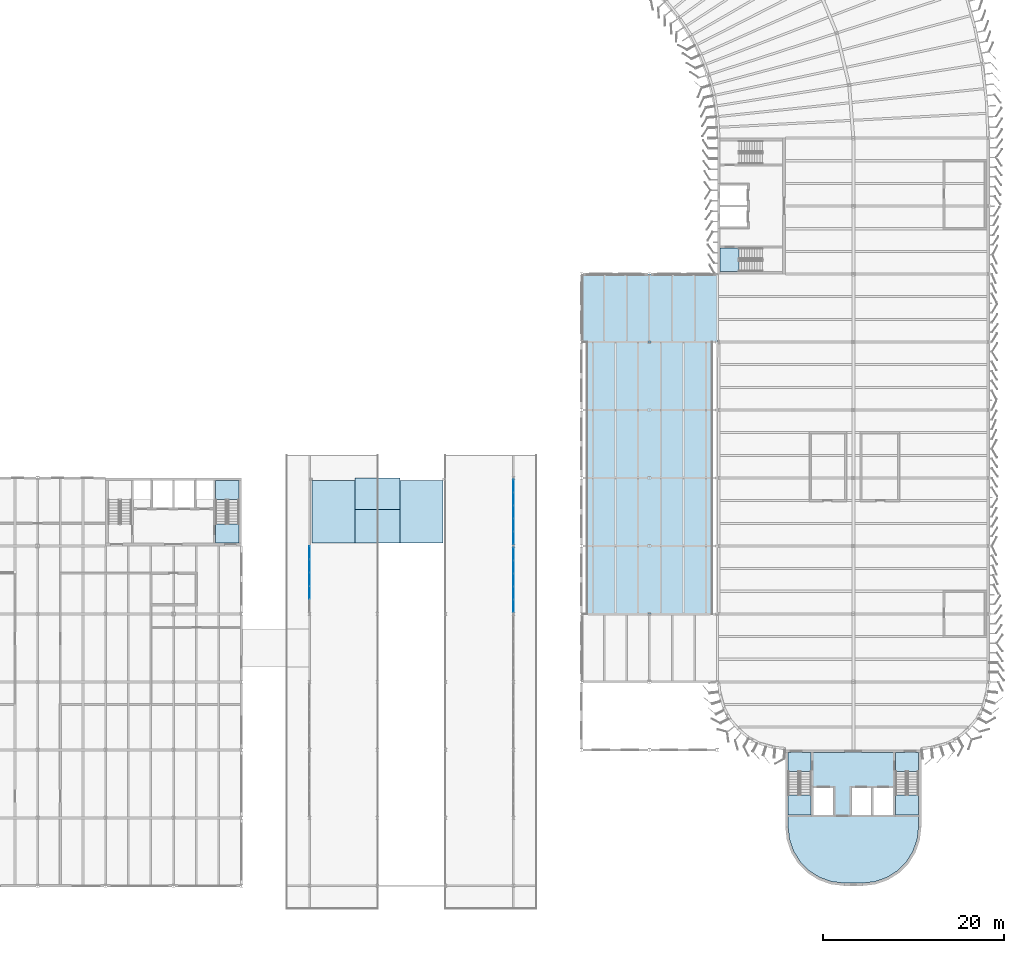
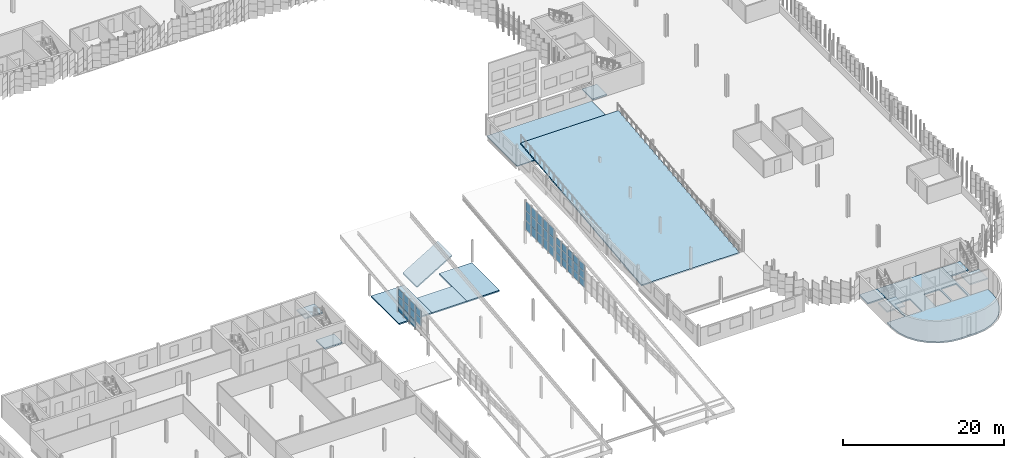
# One storey, part 48 of 199: 41 plates, 14 slabs, 17 elements without a shape of their own.
"""IFC4 building model written with IfcOpenShell, lengths in metres."""

import ifcopenshell
import ifcopenshell.guid

model = None  # the IFC model being written
_history = None  # IfcOwnerHistory: only IFC2X3 demands one
_inside = {}  # id of a spatial element -> (the spatial element, [elements in it])
_under = {}  # id of a project, library or spatial element -> (it, [spatial elements below it])
_declared = {}  # id of a project -> (the project, [libraries it declares])
_typed = {}  # id of a type object -> (the type object, [elements of that type])
_made_of = {}  # id of a material, layer set ... -> (it, [elements and type objects made of it])


def new_model(schema):
    """Start an empty IFC model of exactly this schema.

    Asked for "IFC4X3", IfcOpenShell would pick the latest addendum, in which some entities
    have other attributes; the version numbers below select the first issue.
    IFC2X3 requires an IfcOwnerHistory on every rooted entity: one is made here for all.
    """
    global model, _history
    if schema == "IFC4X3":
        model = ifcopenshell.file(schema_version=(4, 3, 0, 0))
    else:
        model = ifcopenshell.file(schema=schema)
    _inside.clear()
    _under.clear()
    _declared.clear()
    _typed.clear()
    _made_of.clear()
    _history = None
    if model.schema == "IFC2X3":
        org = make("IfcOrganization", Name="unknown")
        user = make(
            "IfcPersonAndOrganization",
            ThePerson=make("IfcPerson", FamilyName="unknown"),
            TheOrganization=org,
        )
        app = make(
            "IfcApplication",
            ApplicationDeveloper=org,
            Version="unknown",
            ApplicationFullName="unknown",
            ApplicationIdentifier="unknown",
        )
        _history = make(
            "IfcOwnerHistory",
            OwningUser=user,
            OwningApplication=app,
            ChangeAction="ADDED",
            CreationDate=0,
        )
    return model


def make(cls, **values):
    """One entity of the class cls with the attributes given. An attribute that is None is left unset."""
    return model.create_entity(
        cls, **{name: value for name, value in values.items() if value is not None}
    )


def rooted(cls, **values):
    """An entity with a GlobalId (a new one), such as an element, a storey or a relation."""
    return make(cls, GlobalId=ifcopenshell.guid.new(), OwnerHistory=_history, **values)


def si_unit(unit_type, name, prefix=None):
    """IfcSIUnit, for example si_unit("LENGTHUNIT", "METRE", prefix="MILLI")."""
    return make("IfcSIUnit", UnitType=unit_type, Prefix=prefix, Name=name)


def assignment(units):
    """IfcUnitAssignment: the units of a project."""
    return None if units is None else make("IfcUnitAssignment", Units=units)


def point(xyz):
    """IfcCartesianPoint."""
    return None if xyz is None else make("IfcCartesianPoint", Coordinates=xyz)


def direction(xyz):
    """IfcDirection."""
    return None if xyz is None else make("IfcDirection", DirectionRatios=xyz)


def frame(location, z_axis=None, x_axis=None):
    """IfcAxis2Placement3D, a coordinate frame: its origin and axes. An axis left out is left unset."""
    return make(
        "IfcAxis2Placement3D",
        Location=point(location),
        Axis=direction(z_axis),
        RefDirection=direction(x_axis),
    )


def frame_2d(location, x_axis=None):
    """IfcAxis2Placement2D, a coordinate frame in the plane: its origin and x axis."""
    return make(
        "IfcAxis2Placement2D", Location=point(location), RefDirection=direction(x_axis)
    )


def origin():
    """The frame at (0, 0, 0) with its axes left unset."""
    return frame((0.0, 0.0, 0.0))


def origin_2d():
    """The frame at (0, 0) in the plane with its x axis left unset."""
    return frame_2d((0.0, 0.0))


def place(relative_to, where):
    """IfcLocalPlacement: puts the frame where relative to a parent placement (None: the world)."""
    return make(
        "IfcLocalPlacement", PlacementRelTo=relative_to, RelativePlacement=where
    )


def context(
    kind, dimensions, precision=None, world=None, true_north=None, identifier=None
):
    """IfcGeometricRepresentationContext, for example the 3D "Model" context."""
    return make(
        "IfcGeometricRepresentationContext",
        ContextIdentifier=identifier,
        ContextType=kind,
        CoordinateSpaceDimension=dimensions,
        Precision=precision,
        WorldCoordinateSystem=world,
        TrueNorth=true_north,
    )


def subcontext(parent, identifier, kind, view, scale=None):
    """IfcGeometricRepresentationSubContext, for example "Body" below "Model"."""
    return make(
        "IfcGeometricRepresentationSubContext",
        ContextIdentifier=identifier,
        ContextType=kind,
        ParentContext=parent,
        TargetScale=scale,
        TargetView=view,
    )


def project(units=None, contexts=None):
    """IfcProject with its units and contexts."""
    return rooted(
        "IfcProject",
        Name="project",
        RepresentationContexts=contexts,
        UnitsInContext=assignment(units),
    )


def spatial(cls, under=None, at=None, **own):
    """A site, building, storey or space (cls), placed at a placement, below another one or the project."""
    s = rooted(cls, ObjectPlacement=at, **own)
    if under is not None:
        _under.setdefault(under.id(), (under, []))[1].append(s)
    return s


def polyline(points):
    """IfcPolyline through the points."""
    return make("IfcPolyline", Points=[point(p) for p in points])


def profile(cls, at=None, kind="AREA", **sizes):
    """A parametric profile (cls). Its sizes go by their IFC names, for example OverallWidth=200.0."""
    return make(cls, ProfileType=kind, Position=at, **sizes)


def rectangle(**sizes):
    """IfcRectangleProfileDef."""
    return profile("IfcRectangleProfileDef", **sizes)


def outline(outer, holes=None, kind="AREA"):
    """IfcArbitraryClosedProfileDef: a profile drawn as a closed curve; with holes, ...WithVoids."""
    if holes is None:
        return make("IfcArbitraryClosedProfileDef", ProfileType=kind, OuterCurve=outer)
    return make(
        "IfcArbitraryProfileDefWithVoids",
        ProfileType=kind,
        OuterCurve=outer,
        InnerCurves=holes,
    )


def extrude(swept, where, along, depth):
    """IfcExtrudedAreaSolid: the profile swept, set in the frame where, extruded along a direction by depth."""
    return make(
        "IfcExtrudedAreaSolid",
        SweptArea=swept,
        Position=where,
        ExtrudedDirection=direction(along),
        Depth=depth,
    )


def shape(context_of_items, identifier, shape_type, items):
    """IfcShapeRepresentation: the items that make up one representation, for example the "Body"."""
    return make(
        "IfcShapeRepresentation",
        ContextOfItems=context_of_items,
        RepresentationIdentifier=identifier,
        RepresentationType=shape_type,
        Items=items,
    )


def material(Name=None, Category=None):
    """IfcMaterial."""
    return make("IfcMaterial", Name=Name, Category=Category)


def layer(
    of_material, thickness, ventilated=None, Name=None, Category=None, Priority=None
):
    """IfcMaterialLayer: one layer of a wall or slab, of a material (None: an air gap)."""
    return make(
        "IfcMaterialLayer",
        Material=of_material,
        LayerThickness=thickness,
        IsVentilated=ventilated,
        Name=Name,
        Category=Category,
        Priority=Priority,
    )


def layer_set(layers, Name=None):
    """IfcMaterialLayerSet."""
    return make("IfcMaterialLayerSet", MaterialLayers=layers, LayerSetName=Name)


def made_of(thing, what):
    """Note that an element or type object is made of a material, layer set ...; save() writes the relation."""
    if what is not None:
        _made_of.setdefault(what.id(), (what, []))[1].append(thing)
    return thing


def type_object(cls, material=None, **own):
    """A type object (cls), such as IfcWallType, which elements share."""
    return made_of(rooted(cls, **own), material)


def element(
    cls,
    number,
    at=None,
    inside=None,
    cuts=None,
    type_object=None,
    material=None,
    context=None,
    identifier="Body",
    shape_type=None,
    held_by="IfcProductDefinitionShape",
    body=None,
    shapes=None,
    **own,
):
    """One element of the class cls, such as IfcWall. Its Tag is "e" and its number.

    at: its placement. inside: the storey or other place that contains it. cuts: it is an
    opening in that element (IfcRelVoidsElement). A single representation is given by context,
    identifier, shape_type and body (its items); several are given by shapes. held_by: the class
    of the entity that holds the representations. save() writes the other relations.
    """
    e = rooted(cls, Tag="e%d" % number, ObjectPlacement=at, **own)
    if body is not None:
        shapes = [shape(context, identifier, shape_type, body)]
    if shapes is not None:
        e.Representation = make(held_by, Representations=shapes)
    if inside is not None:
        _inside.setdefault(inside.id(), (inside, []))[1].append(e)
    if cuts is not None:
        rooted(
            "IfcRelVoidsElement", RelatingBuildingElement=cuts, RelatedOpeningElement=e
        )
    if type_object is not None:
        _typed.setdefault(type_object.id(), (type_object, []))[1].append(e)
    return made_of(e, material)


def aggregate(whole, parts):
    """IfcRelAggregates: a whole, such as a stair, and the parts it consists of."""
    return rooted("IfcRelAggregates", RelatingObject=whole, RelatedObjects=parts)


def save(model, path):
    """Write the relations noted so far, then the file.

    IfcRelAggregates (storeys below a building ...), IfcRelContainedInSpatialStructure (elements
    in a storey), IfcRelDefinesByType, IfcRelAssociatesMaterial and IfcRelDeclares: one each for
    every whole, place, type object, material and project.
    """
    for whole, parts in _under.values():
        aggregate(whole, parts)
    for where, things in _inside.values():
        rooted(
            "IfcRelContainedInSpatialStructure",
            RelatedElements=things,
            RelatingStructure=where,
        )
    for kind, things in _typed.values():
        rooted("IfcRelDefinesByType", RelatedObjects=things, RelatingType=kind)
    for what, things in _made_of.values():
        rooted("IfcRelAssociatesMaterial", RelatedObjects=things, RelatingMaterial=what)
    for by, libraries in _declared.values():
        rooted("IfcRelDeclares", RelatingContext=by, RelatedDefinitions=libraries)
    model.write(path)


model = new_model("IFC4")

# Units and contexts
model_context = context("Model", 3, precision=1e-05, world=origin(), true_north=direction((0.0, 1.0)))
body_context = subcontext(model_context, "Body", "Model", "MODEL_VIEW")
ifc_project = project(units=[si_unit("LENGTHUNIT", "METRE"), si_unit("AREAUNIT", "SQUARE_METRE"), si_unit("VOLUMEUNIT", "CUBIC_METRE"), si_unit("PLANEANGLEUNIT", "RADIAN"), si_unit("MASSUNIT", "GRAM", prefix="KILO")], contexts=[model_context])

# Site, building, storey
site_placement = place(None, origin())
site = spatial("IfcSite", under=ifc_project, at=site_placement, CompositionType="ELEMENT")
building_placement = place(site_placement, origin())
building = spatial("IfcBuilding", under=site, at=building_placement, Name="Parallax Yard Mobility Hub", CompositionType="ELEMENT")
storey_placement = place(building_placement, frame((0.0, 0.0, 9.89990234375)))
storey = spatial("IfcBuildingStorey", under=building, at=storey_placement, Name="L03", CompositionType="ELEMENT", Elevation=9.89990234375)

# Slabs
ifc_material_1 = material(Name="Composite slab: Concrete fc' 28 MPa on 76 mm steel deck", Category="concrete")
ifc_layer_1 = layer(ifc_material_1, 0.139892578125)
ifc_layer_set_1 = layer_set([ifc_layer_1], Name="Composite floor slab 140")
slab_type_1 = type_object("IfcSlabType", Name="Composite floor slab 140", PredefinedType="FLOOR", material=ifc_layer_set_1)
slab_1_placement = place(storey_placement, frame((0.0, 0.0, -0.139892578125)))
element("IfcSlab", 1, at=slab_1_placement, inside=storey, type_object=slab_type_1, Name="Composite floor slab level L03 of the ramp house (north landing)", PredefinedType="FLOOR", context=body_context, shape_type="SweptSolid", body=[
    extrude(outline(polyline([(195.0, 67.5), (195.0, 75.0), (180.0, 75.0), (180.0, 67.5), (195.0, 67.5)])), origin(), (0.0, 0.0, 1.0), 0.139892578125),
])
ifc_material_2 = material(Name="Concrete fc' 28 MPa", Category="concrete")
ifc_layer_2 = layer(ifc_material_2, 0.199951171875)
ifc_layer_set_2 = layer_set([ifc_layer_2], Name="Concrete fc' 28 MPa vehicle ramp slab 200")
slab_type_2 = type_object("IfcSlabType", Name="Concrete fc' 28 MPa vehicle ramp slab 200", PredefinedType="FLOOR", material=ifc_layer_set_2)
slab_2_placement = place(storey_placement, frame((187.5, 37.5, 0.0), z_axis=(0.0, 0.0, 1.0), x_axis=(0.0, 1.0, 0.0)))
element("IfcSlab", 2, at=slab_2_placement, inside=storey, type_object=slab_type_2, Name="Vehicle ramp slab RP4 L03 to L04", PredefinedType="FLOOR", context=body_context, shape_type="SweptSolid", body=[
    extrude(outline(polyline([(0.0, -0.199951171875), (30.0, 3.10009765625), (30.0, 3.300048828125), (0.0, 0.0), (0.0, -0.199951171875)])), frame((0.0, 7.0, 0.0), z_axis=(0.0, -1.0, 0.0), x_axis=(1.0, 0.0, 0.0)), (0.0, 0.0, 1.0), 14.0),
])
ifc_material_3 = material(Name="Concrete fc' 35 MPa", Category="concrete")
ifc_layer_3 = layer(ifc_material_3, 0.199951171875)
ifc_layer_set_3 = layer_set([ifc_layer_3], Name="Core floor slab 200")
slab_type_3 = type_object("IfcSlabType", Name="Core floor slab 200", PredefinedType="FLOOR", material=ifc_layer_set_3)
slab_3_placement = place(storey_placement, frame((0.0, 0.0, -0.199951171875)))
element("IfcSlab", 3, at=slab_3_placement, inside=storey, type_object=slab_type_3, Name="Core C-S floor slab level L03", PredefinedType="FLOOR", context=body_context, shape_type="SweptSolid", body=[
    extrude(outline(polyline([(216.5859375, 11.309814453125), (215.847412109375, 10.13427734375), (214.86572265625, 9.152587890625), (213.690185546875, 8.4140625), (212.379638671875, 7.95556640625), (211.0, 7.800048828125), (209.0, 7.800048828125), (207.620361328125, 7.95556640625), (206.309814453125, 8.4140625), (205.13427734375, 9.152587890625), (204.152587890625, 10.13427734375), (203.4140625, 11.309814453125), (202.95556640625, 12.620361328125), (202.800048828125, 14.0), (202.800048828125, 15.300048828125), (205.35009765625, 15.300048828125), (205.35009765625, 22.199951171875), (214.64990234375, 22.199951171875), (214.64990234375, 15.300048828125), (217.199951171875, 15.300048828125), (217.199951171875, 14.0), (217.04443359375, 12.620361328125), (216.5859375, 11.309814453125)]), holes=[polyline([(214.39990234375, 18.300048828125), (212.199951171875, 18.300048828125), (212.199951171875, 15.300048828125), (214.39990234375, 15.300048828125), (214.39990234375, 18.300048828125)]), polyline([(212.0, 15.300048828125), (212.0, 18.300048828125), (209.800048828125, 18.300048828125), (209.800048828125, 15.300048828125), (212.0, 15.300048828125)]), polyline([(205.60009765625, 15.300048828125), (207.800048828125, 15.300048828125), (207.800048828125, 18.300048828125), (205.60009765625, 18.300048828125), (205.60009765625, 15.300048828125)])]), origin(), (0.0, 0.0, 1.0), 0.199951171875),
])
ifc_layer_4 = layer(ifc_material_3, 0.199951171875)
ifc_layer_set_4 = layer_set([ifc_layer_4], Name="Core roof slab 200")
slab_type_4 = type_object("IfcSlabType", Name="Core roof slab 200", PredefinedType="ROOF", material=ifc_layer_set_4)
placement = place(building_placement, frame((0.0, 0.0, 6.60009765625)))
slab_4_placement = place(placement, frame((0.0, 0.0, 3.099853515625)))
element("IfcSlab", 4, at=slab_4_placement, inside=storey, type_object=slab_type_4, Name="Core C5 head-house roof slab part 1", PredefinedType="ROOF", context=body_context, shape_type="SweptSolid", body=[
    extrude(outline(polyline([(155.0, 45.300048828125), (155.0, 52.199951171875), (150.300048828125, 52.199951171875), (150.300048828125, 45.300048828125), (155.0, 45.300048828125)])), origin(), (0.0, 0.0, 1.0), 0.199951171875),
])
slab_5_placement = place(placement, frame((0.0, 0.0, 3.099853515625)))
element("IfcSlab", 5, at=slab_5_placement, inside=storey, type_object=slab_type_4, Name="Core C5 head-house roof slab part 2", PredefinedType="ROOF", context=body_context, shape_type="SweptSolid", body=[
    extrude(outline(polyline([(160.0, 45.300048828125), (160.0, 49.0), (155.0, 49.0), (155.0, 45.300048828125), (160.0, 45.300048828125)])), origin(), (0.0, 0.0, 1.0), 0.199951171875),
])
slab_6_placement = place(placement, frame((0.0, 0.0, 3.099853515625)))
element("IfcSlab", 6, at=slab_6_placement, inside=storey, type_object=slab_type_4, Name="Core C5 head-house roof slab part 3", PredefinedType="ROOF", context=body_context, shape_type="SweptSolid", body=[
    extrude(outline(polyline([(164.699951171875, 45.300048828125), (164.699951171875, 52.199951171875), (160.0, 52.199951171875), (160.0, 45.300048828125), (164.699951171875, 45.300048828125)])), origin(), (0.0, 0.0, 1.0), 0.199951171875),
])
slab_7_placement = place(storey_placement, frame((155.0, 50.75, 1.7001953125), z_axis=(0.0, 0.0, 1.0), x_axis=(1.0, 0.0, 0.0)))
element("IfcSlab", 7, at=slab_7_placement, inside=storey, type_object=slab_type_4, Name="Core C5 raked crown roof slab over lift bank 1", PredefinedType="ROOF", context=body_context, shape_type="SweptSolid", body=[
    extrude(outline(polyline([(0.0, -0.199951171875), (5.0, 2.800048828125), (5.0, 3.0), (0.0, 0.0), (0.0, -0.199951171875)])), frame((0.0, 1.75, 0.0), z_axis=(0.0, -1.0, 0.0), x_axis=(1.0, 0.0, 0.0)), (0.0, 0.0, 1.0), 3.5),
])

# Stair, slab
stair_type_1 = type_object("IfcStairType", Name="Exit stair 1200 dog-leg", PredefinedType="HALF_TURN_STAIR", material=ifc_material_3)
stair_1_placement = place(storey_placement, origin())
stair_1 = element("IfcStair", 8, at=stair_1_placement, inside=storey, type_object=stair_type_1, Name="L03 Exit stair 1 of core C-S", PredefinedType="HALF_TURN_STAIR")
ifc_layer_5 = layer(ifc_material_3, 0.199951171875)
ifc_layer_set_5 = layer_set([ifc_layer_5], Name="Exit stair landing 200")
slab_type_5 = type_object("IfcSlabType", Name="Exit stair landing 200", PredefinedType="LANDING", material=ifc_layer_set_5)
slab_8_placement = place(storey_placement, frame((0.0, 0.0, 1.4501953125)))
slab_8 = element("IfcSlab", 9, at=slab_8_placement, type_object=slab_type_5, Name="ST9 landing 1", PredefinedType="LANDING", context=body_context, shape_type="SweptSolid", body=[
    extrude(outline(polyline([(214.64990234375, 17.534912109375), (214.64990234375, 15.300048828125), (217.199951171875, 15.300048828125), (217.199951171875, 17.534912109375), (214.64990234375, 17.534912109375)])), origin(), (0.0, 0.0, 1.0), 0.199951171875),
])
aggregate(stair_1, [slab_8])

stair_2_placement = place(storey_placement, origin())
stair_2 = element("IfcStair", 10, at=stair_2_placement, inside=storey, type_object=stair_type_1, Name="L03 Exit stair 2 of core C-S", PredefinedType="HALF_TURN_STAIR")
slab_9_placement = place(storey_placement, frame((0.0, 0.0, 1.4501953125)))
slab_9 = element("IfcSlab", 11, at=slab_9_placement, type_object=slab_type_5, Name="ST10 landing 1", PredefinedType="LANDING", context=body_context, shape_type="SweptSolid", body=[
    extrude(outline(polyline([(202.800048828125, 17.534912109375), (202.800048828125, 15.300048828125), (205.35009765625, 15.300048828125), (205.35009765625, 17.534912109375), (202.800048828125, 17.534912109375)])), origin(), (0.0, 0.0, 1.0), 0.199951171875),
])
aggregate(stair_2, [slab_9])

stair_type_2 = type_object("IfcStairType", Name="Sports deck stair 1200 dog-leg", PredefinedType="HALF_TURN_STAIR", material=ifc_material_3)
stair_3_placement = place(storey_placement, origin())
stair_3 = element("IfcStair", 12, at=stair_3_placement, inside=storey, type_object=stair_type_2, Name="L03 Exit stair 2 of core C6-E", PredefinedType="HALF_TURN_STAIR")
slab_10_placement = place(storey_placement, frame((0.0, 0.0, 1.4501953125)))
slab_10 = element("IfcSlab", 13, at=slab_10_placement, type_object=slab_type_5, Name="ST14 landing 1", PredefinedType="LANDING", context=body_context, shape_type="SweptSolid", body=[
    extrude(outline(polyline([(142.199951171875, 50.10009765625), (142.199951171875, 52.199951171875), (139.64990234375, 52.199951171875), (139.64990234375, 50.10009765625), (142.199951171875, 50.10009765625)])), origin(), (0.0, 0.0, 1.0), 0.199951171875),
])
aggregate(stair_3, [slab_10])

# Curtain wall, plates
ifc_material_4 = material(Name="Thermally broken aluminium curtain wall system", Category="aluminium")
curtain_wall_type = type_object("IfcCurtainWallType", Name="Clerestory glazing run 60 x 120 frame", PredefinedType="NOTDEFINED", material=ifc_material_4)
curtain_wall_1_placement = place(storey_placement, origin())
curtain_wall_1 = element("IfcCurtainWall", 14, at=curtain_wall_1_placement, inside=storey, type_object=curtain_wall_type, Name="Clerestory glazing run Bicycle and shared-mobility hall east bay 5 level L02", PredefinedType="NOTDEFINED")
ifc_material_5 = material(Name="Laminated low-E double glazing", Category="glass")
ifc_layer_6 = layer(ifc_material_5, 0.028076171875)
ifc_layer_set_6 = layer_set([ifc_layer_6], Name="Glazing panel 28")
plate_type = type_object("IfcPlateType", Name="Glazing panel 28", PredefinedType="CURTAIN_PANEL", material=ifc_layer_set_6)
plate_1_placement = place(storey_placement, frame((172.5, 38.372802734375, 2.20068359375), z_axis=(0.0, 0.0, 1.0), x_axis=(0.0, 1.0, 0.0)))
plate_1 = element("IfcPlate", 15, at=plate_1_placement, type_object=plate_type, Name="CW4 panel 1.1", PredefinedType="CURTAIN_PANEL", context=body_context, shape_type="SweptSolid", body=[
    extrude(rectangle(XDim=1.318603515625, YDim=0.028076171875, at=origin_2d()), origin(), (0.0, 0.0, 1.0), 1.103515625),
])
plate_2_placement = place(storey_placement, frame((172.5, 38.372802734375, 3.3642578125), z_axis=(0.0, 0.0, 1.0), x_axis=(0.0, 1.0, 0.0)))
plate_2 = element("IfcPlate", 16, at=plate_2_placement, type_object=plate_type, Name="CW4 panel 1.2", PredefinedType="CURTAIN_PANEL", context=body_context, shape_type="SweptSolid", body=[
    extrude(rectangle(XDim=1.318603515625, YDim=0.028076171875, at=origin_2d()), origin(), (0.0, 0.0, 1.0), 1.133544921875),
])
plate_3_placement = place(storey_placement, frame((172.5, 38.372802734375, 4.5576171875), z_axis=(0.0, 0.0, 1.0), x_axis=(0.0, 1.0, 0.0)))
plate_3 = element("IfcPlate", 17, at=plate_3_placement, type_object=plate_type, Name="CW4 panel 1.3", PredefinedType="CURTAIN_PANEL", context=body_context, shape_type="SweptSolid", body=[
    extrude(rectangle(XDim=1.318603515625, YDim=0.028076171875, at=origin_2d()), origin(), (0.0, 0.0, 1.0), 1.103515625),
])
aggregate(curtain_wall_1, [plate_1, plate_2, plate_3])

curtain_wall_2_placement = place(storey_placement, origin())
curtain_wall_2 = element("IfcCurtainWall", 18, at=curtain_wall_2_placement, inside=storey, type_object=curtain_wall_type, Name="Clerestory glazing run Bicycle and shared-mobility hall east bay 5 level L02", PredefinedType="NOTDEFINED")
plate_4_placement = place(storey_placement, frame((172.5, 39.811279296875, 2.20068359375), z_axis=(0.0, 0.0, 1.0), x_axis=(0.0, 1.0, 0.0)))
plate_4 = element("IfcPlate", 19, at=plate_4_placement, type_object=plate_type, Name="CW4 panel 1.1", PredefinedType="CURTAIN_PANEL", context=body_context, shape_type="SweptSolid", body=[
    extrude(rectangle(XDim=1.318603515625, YDim=0.028076171875, at=origin_2d()), origin(), (0.0, 0.0, 1.0), 1.103515625),
])
plate_5_placement = place(storey_placement, frame((172.5, 39.811279296875, 3.3642578125), z_axis=(0.0, 0.0, 1.0), x_axis=(0.0, 1.0, 0.0)))
plate_5 = element("IfcPlate", 20, at=plate_5_placement, type_object=plate_type, Name="CW4 panel 1.2", PredefinedType="CURTAIN_PANEL", context=body_context, shape_type="SweptSolid", body=[
    extrude(rectangle(XDim=1.318603515625, YDim=0.028076171875, at=origin_2d()), origin(), (0.0, 0.0, 1.0), 1.133544921875),
])
plate_6_placement = place(storey_placement, frame((172.5, 39.811279296875, 4.5576171875), z_axis=(0.0, 0.0, 1.0), x_axis=(0.0, 1.0, 0.0)))
plate_6 = element("IfcPlate", 21, at=plate_6_placement, type_object=plate_type, Name="CW4 panel 1.3", PredefinedType="CURTAIN_PANEL", context=body_context, shape_type="SweptSolid", body=[
    extrude(rectangle(XDim=1.318603515625, YDim=0.028076171875, at=origin_2d()), origin(), (0.0, 0.0, 1.0), 1.103515625),
])
aggregate(curtain_wall_2, [plate_4, plate_5, plate_6])

curtain_wall_3_placement = place(storey_placement, origin())
curtain_wall_3 = element("IfcCurtainWall", 22, at=curtain_wall_3_placement, inside=storey, type_object=curtain_wall_type, Name="Clerestory glazing run Bicycle and shared-mobility hall east bay 5 level L02", PredefinedType="NOTDEFINED")
plate_7_placement = place(storey_placement, frame((172.5, 41.25, 2.20068359375), z_axis=(0.0, 0.0, 1.0), x_axis=(0.0, 1.0, 0.0)))
plate_7 = element("IfcPlate", 23, at=plate_7_placement, type_object=plate_type, Name="CW4 panel 1.1", PredefinedType="CURTAIN_PANEL", context=body_context, shape_type="SweptSolid", body=[
    extrude(rectangle(XDim=1.318603515625, YDim=0.028076171875, at=origin_2d()), origin(), (0.0, 0.0, 1.0), 1.103515625),
])
plate_8_placement = place(storey_placement, frame((172.5, 41.25, 3.3642578125), z_axis=(0.0, 0.0, 1.0), x_axis=(0.0, 1.0, 0.0)))
plate_8 = element("IfcPlate", 24, at=plate_8_placement, type_object=plate_type, Name="CW4 panel 1.2", PredefinedType="CURTAIN_PANEL", context=body_context, shape_type="SweptSolid", body=[
    extrude(rectangle(XDim=1.318603515625, YDim=0.028076171875, at=origin_2d()), origin(), (0.0, 0.0, 1.0), 1.133544921875),
])
plate_9_placement = place(storey_placement, frame((172.5, 41.25, 4.5576171875), z_axis=(0.0, 0.0, 1.0), x_axis=(0.0, 1.0, 0.0)))
plate_9 = element("IfcPlate", 25, at=plate_9_placement, type_object=plate_type, Name="CW4 panel 1.3", PredefinedType="CURTAIN_PANEL", context=body_context, shape_type="SweptSolid", body=[
    extrude(rectangle(XDim=1.318603515625, YDim=0.028076171875, at=origin_2d()), origin(), (0.0, 0.0, 1.0), 1.103515625),
])
aggregate(curtain_wall_3, [plate_7, plate_8, plate_9])

curtain_wall_4_placement = place(storey_placement, origin())
curtain_wall_4 = element("IfcCurtainWall", 26, at=curtain_wall_4_placement, inside=storey, type_object=curtain_wall_type, Name="Clerestory glazing run Bicycle and shared-mobility hall east bay 5 level L02", PredefinedType="NOTDEFINED")
plate_10_placement = place(storey_placement, frame((172.5, 42.688720703125, 2.20068359375), z_axis=(0.0, 0.0, 1.0), x_axis=(0.0, 1.0, 0.0)))
plate_10 = element("IfcPlate", 27, at=plate_10_placement, type_object=plate_type, Name="CW4 panel 1.1", PredefinedType="CURTAIN_PANEL", context=body_context, shape_type="SweptSolid", body=[
    extrude(rectangle(XDim=1.318603515625, YDim=0.028076171875, at=origin_2d()), origin(), (0.0, 0.0, 1.0), 1.103515625),
])
plate_11_placement = place(storey_placement, frame((172.5, 42.688720703125, 3.3642578125), z_axis=(0.0, 0.0, 1.0), x_axis=(0.0, 1.0, 0.0)))
plate_11 = element("IfcPlate", 28, at=plate_11_placement, type_object=plate_type, Name="CW4 panel 1.2", PredefinedType="CURTAIN_PANEL", context=body_context, shape_type="SweptSolid", body=[
    extrude(rectangle(XDim=1.318603515625, YDim=0.028076171875, at=origin_2d()), origin(), (0.0, 0.0, 1.0), 1.133544921875),
])
plate_12_placement = place(storey_placement, frame((172.5, 42.688720703125, 4.5576171875), z_axis=(0.0, 0.0, 1.0), x_axis=(0.0, 1.0, 0.0)))
plate_12 = element("IfcPlate", 29, at=plate_12_placement, type_object=plate_type, Name="CW4 panel 1.3", PredefinedType="CURTAIN_PANEL", context=body_context, shape_type="SweptSolid", body=[
    extrude(rectangle(XDim=1.318603515625, YDim=0.028076171875, at=origin_2d()), origin(), (0.0, 0.0, 1.0), 1.103515625),
])
aggregate(curtain_wall_4, [plate_10, plate_11, plate_12])

curtain_wall_5_placement = place(storey_placement, origin())
curtain_wall_5 = element("IfcCurtainWall", 30, at=curtain_wall_5_placement, inside=storey, type_object=curtain_wall_type, Name="Clerestory glazing run Bicycle and shared-mobility hall east bay 5 level L02", PredefinedType="NOTDEFINED")
plate_13_placement = place(storey_placement, frame((172.5, 44.127197265625, 2.20068359375), z_axis=(0.0, 0.0, 1.0), x_axis=(0.0, 1.0, 0.0)))
plate_13 = element("IfcPlate", 31, at=plate_13_placement, type_object=plate_type, Name="CW4 panel 1.1", PredefinedType="CURTAIN_PANEL", context=body_context, shape_type="SweptSolid", body=[
    extrude(rectangle(XDim=1.318603515625, YDim=0.028076171875, at=origin_2d()), origin(), (0.0, 0.0, 1.0), 1.103515625),
])
plate_14_placement = place(storey_placement, frame((172.5, 44.127197265625, 3.3642578125), z_axis=(0.0, 0.0, 1.0), x_axis=(0.0, 1.0, 0.0)))
plate_14 = element("IfcPlate", 32, at=plate_14_placement, type_object=plate_type, Name="CW4 panel 1.2", PredefinedType="CURTAIN_PANEL", context=body_context, shape_type="SweptSolid", body=[
    extrude(rectangle(XDim=1.318603515625, YDim=0.028076171875, at=origin_2d()), origin(), (0.0, 0.0, 1.0), 1.133544921875),
])
plate_15_placement = place(storey_placement, frame((172.5, 44.127197265625, 4.5576171875), z_axis=(0.0, 0.0, 1.0), x_axis=(0.0, 1.0, 0.0)))
plate_15 = element("IfcPlate", 33, at=plate_15_placement, type_object=plate_type, Name="CW4 panel 1.3", PredefinedType="CURTAIN_PANEL", context=body_context, shape_type="SweptSolid", body=[
    extrude(rectangle(XDim=1.318603515625, YDim=0.028076171875, at=origin_2d()), origin(), (0.0, 0.0, 1.0), 1.103515625),
])
aggregate(curtain_wall_5, [plate_13, plate_14, plate_15])

curtain_wall_6_placement = place(storey_placement, origin())
curtain_wall_6 = element("IfcCurtainWall", 34, at=curtain_wall_6_placement, inside=storey, type_object=curtain_wall_type, Name="Clerestory glazing run Bicycle and shared-mobility hall east bay 6 level L02", PredefinedType="NOTDEFINED")
plate_16_placement = place(storey_placement, frame((172.5, 45.872802734375, 2.20068359375), z_axis=(0.0, 0.0, 1.0), x_axis=(0.0, 1.0, 0.0)))
plate_16 = element("IfcPlate", 35, at=plate_16_placement, type_object=plate_type, Name="CW4 panel 1.1", PredefinedType="CURTAIN_PANEL", context=body_context, shape_type="SweptSolid", body=[
    extrude(rectangle(XDim=1.318603515625, YDim=0.028076171875, at=origin_2d()), origin(), (0.0, 0.0, 1.0), 1.379638671875),
])
plate_17_placement = place(storey_placement, frame((172.5, 45.872802734375, 3.640380859375), z_axis=(0.0, 0.0, 1.0), x_axis=(0.0, 1.0, 0.0)))
plate_17 = element("IfcPlate", 36, at=plate_17_placement, type_object=plate_type, Name="CW4 panel 1.2", PredefinedType="CURTAIN_PANEL", context=body_context, shape_type="SweptSolid", body=[
    extrude(rectangle(XDim=1.318603515625, YDim=0.028076171875, at=origin_2d()), origin(), (0.0, 0.0, 1.0), 1.40966796875),
])
plate_18_placement = place(storey_placement, frame((172.5, 45.872802734375, 5.10986328125), z_axis=(0.0, 0.0, 1.0), x_axis=(0.0, 1.0, 0.0)))
plate_18 = element("IfcPlate", 37, at=plate_18_placement, type_object=plate_type, Name="CW4 panel 1.3", PredefinedType="CURTAIN_PANEL", context=body_context, shape_type="SweptSolid", body=[
    extrude(rectangle(XDim=1.318603515625, YDim=0.028076171875, at=origin_2d()), origin(), (0.0, 0.0, 1.0), 1.379638671875),
])
aggregate(curtain_wall_6, [plate_16, plate_17, plate_18])

curtain_wall_7_placement = place(storey_placement, origin())
curtain_wall_7 = element("IfcCurtainWall", 38, at=curtain_wall_7_placement, inside=storey, type_object=curtain_wall_type, Name="Clerestory glazing run Bicycle and shared-mobility hall east bay 6 level L02", PredefinedType="NOTDEFINED")
plate_19_placement = place(storey_placement, frame((172.5, 47.311279296875, 2.20068359375), z_axis=(0.0, 0.0, 1.0), x_axis=(0.0, 1.0, 0.0)))
plate_19 = element("IfcPlate", 39, at=plate_19_placement, type_object=plate_type, Name="CW4 panel 1.1", PredefinedType="CURTAIN_PANEL", context=body_context, shape_type="SweptSolid", body=[
    extrude(rectangle(XDim=1.318603515625, YDim=0.028076171875, at=origin_2d()), origin(), (0.0, 0.0, 1.0), 1.379638671875),
])
plate_20_placement = place(storey_placement, frame((172.5, 47.311279296875, 3.640380859375), z_axis=(0.0, 0.0, 1.0), x_axis=(0.0, 1.0, 0.0)))
plate_20 = element("IfcPlate", 40, at=plate_20_placement, type_object=plate_type, Name="CW4 panel 1.2", PredefinedType="CURTAIN_PANEL", context=body_context, shape_type="SweptSolid", body=[
    extrude(rectangle(XDim=1.318603515625, YDim=0.028076171875, at=origin_2d()), origin(), (0.0, 0.0, 1.0), 1.40966796875),
])
plate_21_placement = place(storey_placement, frame((172.5, 47.311279296875, 5.10986328125), z_axis=(0.0, 0.0, 1.0), x_axis=(0.0, 1.0, 0.0)))
plate_21 = element("IfcPlate", 41, at=plate_21_placement, type_object=plate_type, Name="CW4 panel 1.3", PredefinedType="CURTAIN_PANEL", context=body_context, shape_type="SweptSolid", body=[
    extrude(rectangle(XDim=1.318603515625, YDim=0.028076171875, at=origin_2d()), origin(), (0.0, 0.0, 1.0), 1.379638671875),
])
aggregate(curtain_wall_7, [plate_19, plate_20, plate_21])

curtain_wall_8_placement = place(storey_placement, origin())
curtain_wall_8 = element("IfcCurtainWall", 42, at=curtain_wall_8_placement, inside=storey, type_object=curtain_wall_type, Name="Clerestory glazing run Bicycle and shared-mobility hall east bay 6 level L02", PredefinedType="NOTDEFINED")
plate_22_placement = place(storey_placement, frame((172.5, 48.75, 2.20068359375), z_axis=(0.0, 0.0, 1.0), x_axis=(0.0, 1.0, 0.0)))
plate_22 = element("IfcPlate", 43, at=plate_22_placement, type_object=plate_type, Name="CW4 panel 1.1", PredefinedType="CURTAIN_PANEL", context=body_context, shape_type="SweptSolid", body=[
    extrude(rectangle(XDim=1.318603515625, YDim=0.028076171875, at=origin_2d()), origin(), (0.0, 0.0, 1.0), 1.379638671875),
])
plate_23_placement = place(storey_placement, frame((172.5, 48.75, 3.640380859375), z_axis=(0.0, 0.0, 1.0), x_axis=(0.0, 1.0, 0.0)))
plate_23 = element("IfcPlate", 44, at=plate_23_placement, type_object=plate_type, Name="CW4 panel 1.2", PredefinedType="CURTAIN_PANEL", context=body_context, shape_type="SweptSolid", body=[
    extrude(rectangle(XDim=1.318603515625, YDim=0.028076171875, at=origin_2d()), origin(), (0.0, 0.0, 1.0), 1.40966796875),
])
plate_24_placement = place(storey_placement, frame((172.5, 48.75, 5.10986328125), z_axis=(0.0, 0.0, 1.0), x_axis=(0.0, 1.0, 0.0)))
plate_24 = element("IfcPlate", 45, at=plate_24_placement, type_object=plate_type, Name="CW4 panel 1.3", PredefinedType="CURTAIN_PANEL", context=body_context, shape_type="SweptSolid", body=[
    extrude(rectangle(XDim=1.318603515625, YDim=0.028076171875, at=origin_2d()), origin(), (0.0, 0.0, 1.0), 1.379638671875),
])
aggregate(curtain_wall_8, [plate_22, plate_23, plate_24])

curtain_wall_9_placement = place(storey_placement, origin())
curtain_wall_9 = element("IfcCurtainWall", 46, at=curtain_wall_9_placement, inside=storey, type_object=curtain_wall_type, Name="Clerestory glazing run Bicycle and shared-mobility hall east bay 6 level L02", PredefinedType="NOTDEFINED")
plate_25_placement = place(storey_placement, frame((172.5, 50.188720703125, 2.20068359375), z_axis=(0.0, 0.0, 1.0), x_axis=(0.0, 1.0, 0.0)))
plate_25 = element("IfcPlate", 47, at=plate_25_placement, type_object=plate_type, Name="CW4 panel 1.1", PredefinedType="CURTAIN_PANEL", context=body_context, shape_type="SweptSolid", body=[
    extrude(rectangle(XDim=1.318603515625, YDim=0.028076171875, at=origin_2d()), origin(), (0.0, 0.0, 1.0), 1.379638671875),
])
plate_26_placement = place(storey_placement, frame((172.5, 50.188720703125, 3.640380859375), z_axis=(0.0, 0.0, 1.0), x_axis=(0.0, 1.0, 0.0)))
plate_26 = element("IfcPlate", 48, at=plate_26_placement, type_object=plate_type, Name="CW4 panel 1.2", PredefinedType="CURTAIN_PANEL", context=body_context, shape_type="SweptSolid", body=[
    extrude(rectangle(XDim=1.318603515625, YDim=0.028076171875, at=origin_2d()), origin(), (0.0, 0.0, 1.0), 1.40966796875),
])
plate_27_placement = place(storey_placement, frame((172.5, 50.188720703125, 5.10986328125), z_axis=(0.0, 0.0, 1.0), x_axis=(0.0, 1.0, 0.0)))
plate_27 = element("IfcPlate", 49, at=plate_27_placement, type_object=plate_type, Name="CW4 panel 1.3", PredefinedType="CURTAIN_PANEL", context=body_context, shape_type="SweptSolid", body=[
    extrude(rectangle(XDim=1.318603515625, YDim=0.028076171875, at=origin_2d()), origin(), (0.0, 0.0, 1.0), 1.379638671875),
])
aggregate(curtain_wall_9, [plate_25, plate_26, plate_27])

curtain_wall_10_placement = place(storey_placement, origin())
curtain_wall_10 = element("IfcCurtainWall", 50, at=curtain_wall_10_placement, inside=storey, type_object=curtain_wall_type, Name="Clerestory glazing run Bicycle and shared-mobility hall east bay 6 level L02", PredefinedType="NOTDEFINED")
plate_28_placement = place(storey_placement, frame((172.5, 51.627197265625, 2.20068359375), z_axis=(0.0, 0.0, 1.0), x_axis=(0.0, 1.0, 0.0)))
plate_28 = element("IfcPlate", 51, at=plate_28_placement, type_object=plate_type, Name="CW4 panel 1.1", PredefinedType="CURTAIN_PANEL", context=body_context, shape_type="SweptSolid", body=[
    extrude(rectangle(XDim=1.318603515625, YDim=0.028076171875, at=origin_2d()), origin(), (0.0, 0.0, 1.0), 1.379638671875),
])
plate_29_placement = place(storey_placement, frame((172.5, 51.627197265625, 3.640380859375), z_axis=(0.0, 0.0, 1.0), x_axis=(0.0, 1.0, 0.0)))
plate_29 = element("IfcPlate", 52, at=plate_29_placement, type_object=plate_type, Name="CW4 panel 1.2", PredefinedType="CURTAIN_PANEL", context=body_context, shape_type="SweptSolid", body=[
    extrude(rectangle(XDim=1.318603515625, YDim=0.028076171875, at=origin_2d()), origin(), (0.0, 0.0, 1.0), 1.40966796875),
])
plate_30_placement = place(storey_placement, frame((172.5, 51.627197265625, 5.10986328125), z_axis=(0.0, 0.0, 1.0), x_axis=(0.0, 1.0, 0.0)))
plate_30 = element("IfcPlate", 53, at=plate_30_placement, type_object=plate_type, Name="CW4 panel 1.3", PredefinedType="CURTAIN_PANEL", context=body_context, shape_type="SweptSolid", body=[
    extrude(rectangle(XDim=1.318603515625, YDim=0.028076171875, at=origin_2d()), origin(), (0.0, 0.0, 1.0), 1.379638671875),
])
aggregate(curtain_wall_10, [plate_28, plate_29, plate_30])

curtain_wall_11_placement = place(storey_placement, origin())
curtain_wall_11 = element("IfcCurtainWall", 54, at=curtain_wall_11_placement, inside=storey, type_object=curtain_wall_type, Name="Clerestory glazing run Bicycle and shared-mobility hall west bay 5 level L02", PredefinedType="NOTDEFINED")
plate_31_placement = place(storey_placement, frame((150.0, 39.857421875, 3.3642578125), z_axis=(0.0, 0.0, 1.0), x_axis=(0.0, 1.0, 0.0)))
plate_31 = element("IfcPlate", 55, at=plate_31_placement, type_object=plate_type, Name="CW4 panel 1.2", PredefinedType="CURTAIN_PANEL", context=body_context, shape_type="SweptSolid", body=[
    extrude(rectangle(XDim=1.349365234375, YDim=0.028076171875, at=origin_2d()), origin(), (0.0, 0.0, 1.0), 1.133544921875),
])
plate_32_placement = place(storey_placement, frame((150.0, 39.857421875, 4.5576171875), z_axis=(0.0, 0.0, 1.0), x_axis=(0.0, 1.0, 0.0)))
plate_32 = element("IfcPlate", 56, at=plate_32_placement, type_object=plate_type, Name="CW4 panel 1.3", PredefinedType="CURTAIN_PANEL", context=body_context, shape_type="SweptSolid", body=[
    extrude(rectangle(XDim=1.349365234375, YDim=0.028076171875, at=origin_2d()), origin(), (0.0, 0.0, 1.0), 1.103515625),
])
aggregate(curtain_wall_11, [plate_31, plate_32])

curtain_wall_12_placement = place(storey_placement, origin())
curtain_wall_12 = element("IfcCurtainWall", 57, at=curtain_wall_12_placement, inside=storey, type_object=curtain_wall_type, Name="Clerestory glazing run Bicycle and shared-mobility hall west bay 5 level L02", PredefinedType="NOTDEFINED")
plate_33_placement = place(storey_placement, frame((150.0, 41.32666015625, 2.20068359375), z_axis=(0.0, 0.0, 1.0), x_axis=(0.0, 1.0, 0.0)))
plate_33 = element("IfcPlate", 58, at=plate_33_placement, type_object=plate_type, Name="CW4 panel 1.1", PredefinedType="CURTAIN_PANEL", context=body_context, shape_type="SweptSolid", body=[
    extrude(rectangle(XDim=1.349365234375, YDim=0.028076171875, at=origin_2d()), origin(), (0.0, 0.0, 1.0), 1.103515625),
])
plate_34_placement = place(storey_placement, frame((150.0, 41.32666015625, 3.3642578125), z_axis=(0.0, 0.0, 1.0), x_axis=(0.0, 1.0, 0.0)))
plate_34 = element("IfcPlate", 59, at=plate_34_placement, type_object=plate_type, Name="CW4 panel 1.2", PredefinedType="CURTAIN_PANEL", context=body_context, shape_type="SweptSolid", body=[
    extrude(rectangle(XDim=1.349365234375, YDim=0.028076171875, at=origin_2d()), origin(), (0.0, 0.0, 1.0), 1.133544921875),
])
plate_35_placement = place(storey_placement, frame((150.0, 41.32666015625, 4.5576171875), z_axis=(0.0, 0.0, 1.0), x_axis=(0.0, 1.0, 0.0)))
plate_35 = element("IfcPlate", 60, at=plate_35_placement, type_object=plate_type, Name="CW4 panel 1.3", PredefinedType="CURTAIN_PANEL", context=body_context, shape_type="SweptSolid", body=[
    extrude(rectangle(XDim=1.349365234375, YDim=0.028076171875, at=origin_2d()), origin(), (0.0, 0.0, 1.0), 1.103515625),
])
aggregate(curtain_wall_12, [plate_33, plate_34, plate_35])

curtain_wall_13_placement = place(storey_placement, origin())
curtain_wall_13 = element("IfcCurtainWall", 61, at=curtain_wall_13_placement, inside=storey, type_object=curtain_wall_type, Name="Clerestory glazing run Bicycle and shared-mobility hall west bay 5 level L02", PredefinedType="NOTDEFINED")
plate_36_placement = place(storey_placement, frame((150.0, 42.796142578125, 2.20068359375), z_axis=(0.0, 0.0, 1.0), x_axis=(0.0, 1.0, 0.0)))
plate_36 = element("IfcPlate", 62, at=plate_36_placement, type_object=plate_type, Name="CW4 panel 1.1", PredefinedType="CURTAIN_PANEL", context=body_context, shape_type="SweptSolid", body=[
    extrude(rectangle(XDim=1.349365234375, YDim=0.028076171875, at=origin_2d()), origin(), (0.0, 0.0, 1.0), 1.103515625),
])
plate_37_placement = place(storey_placement, frame((150.0, 42.796142578125, 3.3642578125), z_axis=(0.0, 0.0, 1.0), x_axis=(0.0, 1.0, 0.0)))
plate_37 = element("IfcPlate", 63, at=plate_37_placement, type_object=plate_type, Name="CW4 panel 1.2", PredefinedType="CURTAIN_PANEL", context=body_context, shape_type="SweptSolid", body=[
    extrude(rectangle(XDim=1.349365234375, YDim=0.028076171875, at=origin_2d()), origin(), (0.0, 0.0, 1.0), 1.133544921875),
])
plate_38_placement = place(storey_placement, frame((150.0, 42.796142578125, 4.5576171875), z_axis=(0.0, 0.0, 1.0), x_axis=(0.0, 1.0, 0.0)))
plate_38 = element("IfcPlate", 64, at=plate_38_placement, type_object=plate_type, Name="CW4 panel 1.3", PredefinedType="CURTAIN_PANEL", context=body_context, shape_type="SweptSolid", body=[
    extrude(rectangle(XDim=1.349365234375, YDim=0.028076171875, at=origin_2d()), origin(), (0.0, 0.0, 1.0), 1.103515625),
])
aggregate(curtain_wall_13, [plate_36, plate_37, plate_38])

curtain_wall_14_placement = place(storey_placement, origin())
curtain_wall_14 = element("IfcCurtainWall", 65, at=curtain_wall_14_placement, inside=storey, type_object=curtain_wall_type, Name="Clerestory glazing run Bicycle and shared-mobility hall west bay 5 level L02", PredefinedType="NOTDEFINED")
plate_39_placement = place(storey_placement, frame((150.0, 44.265380859375, 2.20068359375), z_axis=(0.0, 0.0, 1.0), x_axis=(0.0, 1.0, 0.0)))
plate_39 = element("IfcPlate", 66, at=plate_39_placement, type_object=plate_type, Name="CW4 panel 1.1", PredefinedType="CURTAIN_PANEL", context=body_context, shape_type="SweptSolid", body=[
    extrude(rectangle(XDim=1.349365234375, YDim=0.028076171875, at=origin_2d()), origin(), (0.0, 0.0, 1.0), 1.103515625),
])
plate_40_placement = place(storey_placement, frame((150.0, 44.265380859375, 3.3642578125), z_axis=(0.0, 0.0, 1.0), x_axis=(0.0, 1.0, 0.0)))
plate_40 = element("IfcPlate", 67, at=plate_40_placement, type_object=plate_type, Name="CW4 panel 1.2", PredefinedType="CURTAIN_PANEL", context=body_context, shape_type="SweptSolid", body=[
    extrude(rectangle(XDim=1.349365234375, YDim=0.028076171875, at=origin_2d()), origin(), (0.0, 0.0, 1.0), 1.133544921875),
])
plate_41_placement = place(storey_placement, frame((150.0, 44.265380859375, 4.5576171875), z_axis=(0.0, 0.0, 1.0), x_axis=(0.0, 1.0, 0.0)))
plate_41 = element("IfcPlate", 68, at=plate_41_placement, type_object=plate_type, Name="CW4 panel 1.3", PredefinedType="CURTAIN_PANEL", context=body_context, shape_type="SweptSolid", body=[
    extrude(rectangle(XDim=1.349365234375, YDim=0.028076171875, at=origin_2d()), origin(), (0.0, 0.0, 1.0), 1.103515625),
])
aggregate(curtain_wall_14, [plate_39, plate_40, plate_41])

# Slabs
ifc_layer_7 = layer(ifc_material_3, 0.199951171875)
ifc_layer_set_7 = layer_set([ifc_layer_7], Name="Stair floor landing slab 200")
slab_type_6 = type_object("IfcSlabType", Name="Stair floor landing slab 200", PredefinedType="FLOOR", material=ifc_layer_set_7)
slab_11_placement = place(storey_placement, frame((0.0, 0.0, -0.199951171875)))
element("IfcSlab", 69, at=slab_11_placement, inside=storey, type_object=slab_type_6, Name="Core C-E exit stair 1 floor landing level L03", PredefinedType="FLOOR", context=body_context, shape_type="SweptSolid", body=[
    extrude(outline(polyline([(197.39990234375, 77.85009765625), (195.300048828125, 77.85009765625), (195.300048828125, 75.300048828125), (197.39990234375, 75.300048828125), (197.39990234375, 77.85009765625)])), origin(), (0.0, 0.0, 1.0), 0.199951171875),
])
slab_12_placement = place(storey_placement, frame((0.0, 0.0, -0.199951171875)))
element("IfcSlab", 70, at=slab_12_placement, inside=storey, type_object=slab_type_6, Name="Core C-S exit stair 1 floor landing level L03", PredefinedType="FLOOR", context=body_context, shape_type="SweptSolid", body=[
    extrude(outline(polyline([(217.199951171875, 20.10009765625), (214.64990234375, 20.10009765625), (214.64990234375, 22.199951171875), (217.199951171875, 22.199951171875), (217.199951171875, 20.10009765625)])), origin(), (0.0, 0.0, 1.0), 0.199951171875),
])
slab_13_placement = place(storey_placement, frame((0.0, 0.0, -0.199951171875)))
element("IfcSlab", 71, at=slab_13_placement, inside=storey, type_object=slab_type_6, Name="Core C-S exit stair 2 floor landing level L03", PredefinedType="FLOOR", context=body_context, shape_type="SweptSolid", body=[
    extrude(outline(polyline([(205.35009765625, 20.10009765625), (202.800048828125, 20.10009765625), (202.800048828125, 22.199951171875), (205.35009765625, 22.199951171875), (205.35009765625, 20.10009765625)])), origin(), (0.0, 0.0, 1.0), 0.199951171875),
])
slab_14_placement = place(storey_placement, frame((0.0, 0.0, -0.199951171875)))
element("IfcSlab", 72, at=slab_14_placement, inside=storey, type_object=slab_type_6, Name="Core C6-E exit stair 2 floor landing level L03", PredefinedType="FLOOR", context=body_context, shape_type="SweptSolid", body=[
    extrude(outline(polyline([(142.199951171875, 45.300048828125), (142.199951171875, 47.39990234375), (139.64990234375, 47.39990234375), (139.64990234375, 45.300048828125), (142.199951171875, 45.300048828125)])), origin(), (0.0, 0.0, 1.0), 0.199951171875),
])

save(model, "model.ifc")
